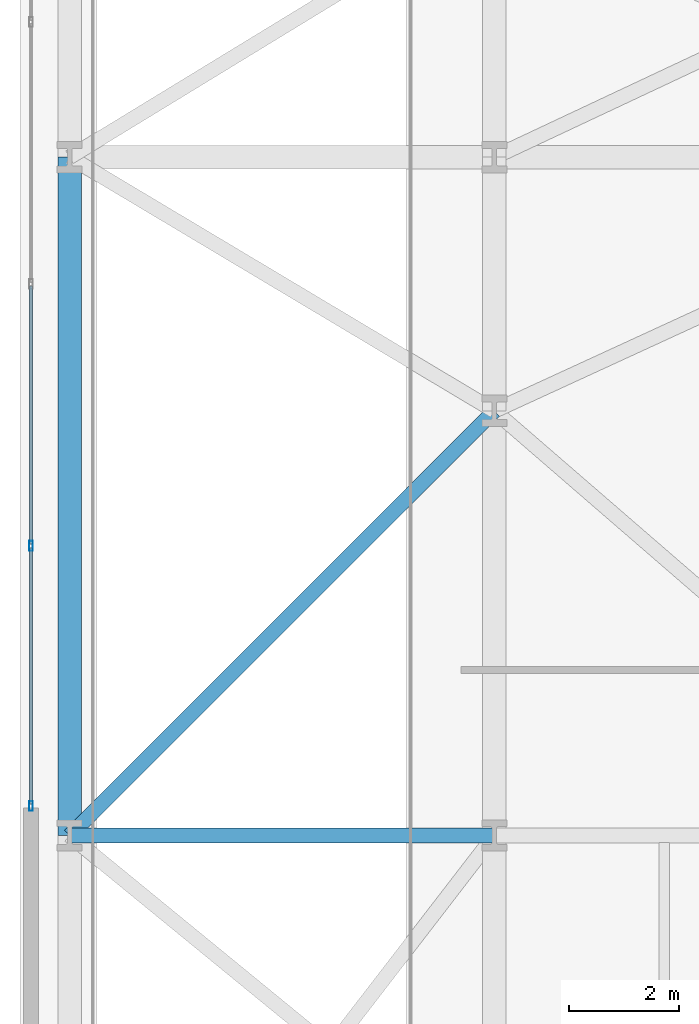
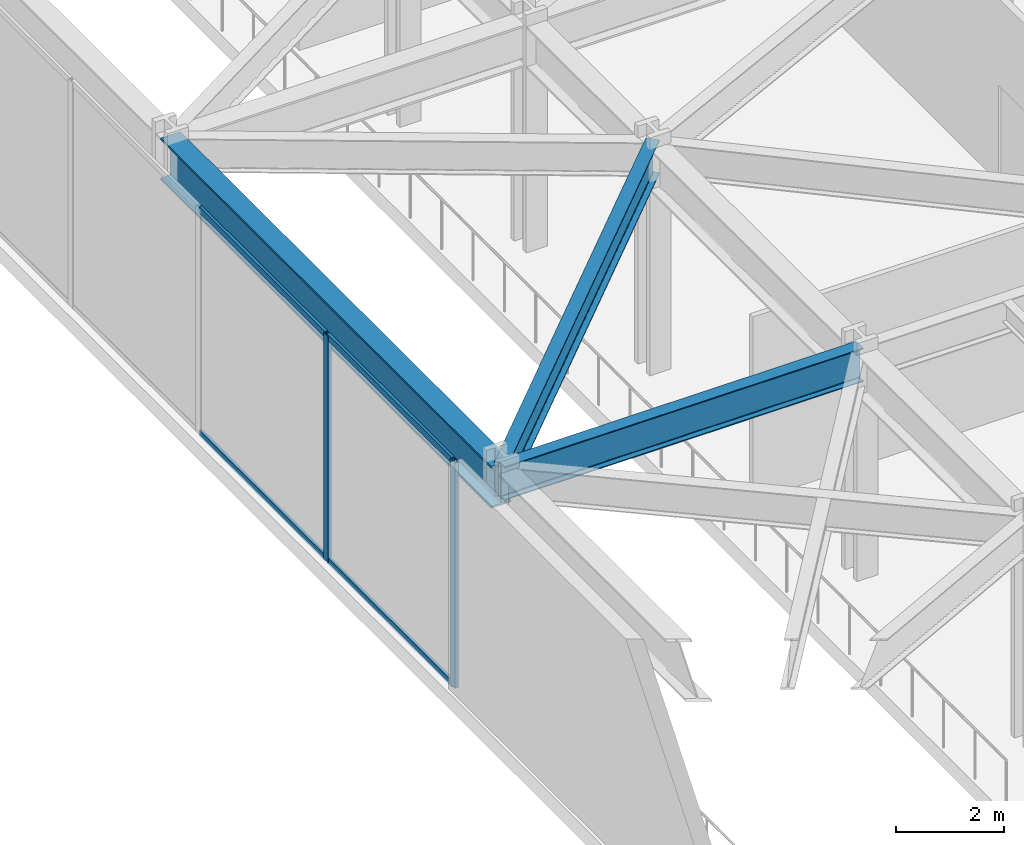
# One storey, part 7 of 31: 6 members, 3 beams, 1 element without a shape of its own.
"""IFC4 building model written with IfcOpenShell, lengths in metres."""

from ifc_helpers import new_model, si_unit, direction, frame, origin, origin_2d, place, context, subcontext, project, spatial, hollow_rectangle, i_section, extrude, material, layer, layer_set, material_profile, profile_set, type_object, element, aggregate, save


model = new_model("IFC4")

# Units and contexts
model_context = context("Model", 3, precision=1e-05, world=origin(), true_north=direction((0.0, 1.0)))
body_context = subcontext(model_context, "Body", "Model", "MODEL_VIEW")
ifc_project = project(units=[si_unit("LENGTHUNIT", "METRE"), si_unit("AREAUNIT", "SQUARE_METRE"), si_unit("VOLUMEUNIT", "CUBIC_METRE"), si_unit("PLANEANGLEUNIT", "RADIAN"), si_unit("MASSUNIT", "GRAM", prefix="KILO")], contexts=[model_context])

# Site, building, storey
site_placement = place(None, origin())
site = spatial("IfcSite", under=ifc_project, at=site_placement, CompositionType="ELEMENT")
building_placement = place(site_placement, origin())
building = spatial("IfcBuilding", under=site, at=building_placement, Name="Kravanh Interchange Tower", CompositionType="ELEMENT")
storey_placement = place(building_placement, origin())
storey = spatial("IfcBuildingStorey", under=building, at=storey_placement, Name="L00", CompositionType="ELEMENT", Elevation=0.0)

# Curtain wall, members
ifc_material_1 = material(Name="Anodised Bronze Aluminium", Category="aluminium")
ifc_layer = layer(ifc_material_1, 0.179931640625)
ifc_layer_set = layer_set([ifc_layer], Name="Unitised Curtain Wall System CW-POD Podium Concourse")
curtain_wall_type = type_object("IfcCurtainWallType", Name="Unitised Curtain Wall System CW-POD Podium Concourse", PredefinedType="NOTDEFINED", material=ifc_layer_set)
curtain_wall_placement = place(storey_placement, origin())
curtain_wall = element("IfcCurtainWall", 1, at=curtain_wall_placement, inside=storey, type_object=curtain_wall_type, Name="L00 Unitised Curtain Wall CW-L00-05", PredefinedType="NOTDEFINED")
ifc_material_2 = material(Name="Anodised Bronze Aluminium", Category="aluminium")
ifc_material_profile_1 = material_profile(ifc_material_2, hollow_rectangle(XDim=0.070068359375, YDim=0.179931640625, WallThickness=0.00390625, at=origin_2d()), Name="ALU70X180X4")
ifc_profile_set_1 = profile_set([ifc_material_profile_1], Name="Anodised Bronze Aluminium")
member_type_1 = type_object("IfcMemberType", Name="Curtain Wall Mullion ALU70X180X4 Bronze", PredefinedType="MULLION", material=ifc_profile_set_1)
member_1_placement = place(storey_placement, frame((0.199951171875, 15.034912109375, 0.0), z_axis=(0.0, 0.0, 1.0), x_axis=(-1.0, 0.0, 0.0)))
member_1 = element("IfcMember", 2, at=member_1_placement, type_object=member_type_1, Name="CW-POD mullion 1", PredefinedType="MULLION", context=body_context, shape_type="SweptSolid", body=[
    extrude(hollow_rectangle(XDim=0.070068359375, YDim=0.179931640625, WallThickness=0.00390625, at=origin_2d()), origin(), (0.0, 0.0, 1.0), 5.1298828125),
])
member_2_placement = place(storey_placement, frame((0.199951171875, 19.75, 0.0), z_axis=(0.0, 0.0, 1.0), x_axis=(-1.0, 0.0, 0.0)))
member_2 = element("IfcMember", 3, at=member_2_placement, type_object=member_type_1, Name="CW-POD mullion 2", PredefinedType="MULLION", context=body_context, shape_type="SweptSolid", body=[
    extrude(hollow_rectangle(XDim=0.070068359375, YDim=0.179931640625, WallThickness=0.00390625, at=origin_2d()), origin(), (0.0, 0.0, 1.0), 5.1298828125),
])
ifc_material_3 = material(Name="Anodised Bronze Aluminium", Category="aluminium")
ifc_material_profile_2 = material_profile(ifc_material_3, hollow_rectangle(XDim=0.06005859375, YDim=0.139892578125, WallThickness=0.00390625, at=origin_2d()), Name="ALU60X140X4")
ifc_profile_set_2 = profile_set([ifc_material_profile_2], Name="Anodised Bronze Aluminium")
member_type_2 = type_object("IfcMemberType", Name="Curtain Wall Transom ALU60X140X4 Bronze", PredefinedType="USERDEFINED", material=ifc_profile_set_2)
member_3_placement = place(storey_placement, frame((0.199951171875, 15.070068359375, 0.030029296875), z_axis=(0.0, 1.0, 0.0), x_axis=(-1.0, 0.0, 0.0)))
member_3 = element("IfcMember", 4, at=member_3_placement, type_object=member_type_2, Name="CW-POD transom 1.1", ObjectType="TRANSOM", PredefinedType="USERDEFINED", context=body_context, shape_type="SweptSolid", body=[
    extrude(hollow_rectangle(XDim=0.06005859375, YDim=0.139892578125, WallThickness=0.00390625, at=origin_2d()), origin(), (0.0, 0.0, 1.0), 4.64501953125),
])
member_4_placement = place(storey_placement, frame((0.199951171875, 15.070068359375, 5.10009765625), z_axis=(0.0, 1.0, 0.0), x_axis=(-1.0, 0.0, 0.0)))
member_4 = element("IfcMember", 5, at=member_4_placement, type_object=member_type_2, Name="CW-POD transom 1.2", ObjectType="TRANSOM", PredefinedType="USERDEFINED", context=body_context, shape_type="SweptSolid", body=[
    extrude(hollow_rectangle(XDim=0.06005859375, YDim=0.139892578125, WallThickness=0.00390625, at=origin_2d()), origin(), (0.0, 0.0, 1.0), 4.64501953125),
])
member_5_placement = place(storey_placement, frame((0.199951171875, 19.784912109375, 0.030029296875), z_axis=(0.0, 1.0, 0.0), x_axis=(-1.0, 0.0, 0.0)))
member_5 = element("IfcMember", 6, at=member_5_placement, type_object=member_type_2, Name="CW-POD transom 2.1", ObjectType="TRANSOM", PredefinedType="USERDEFINED", context=body_context, shape_type="SweptSolid", body=[
    extrude(hollow_rectangle(XDim=0.06005859375, YDim=0.139892578125, WallThickness=0.00390625, at=origin_2d()), origin(), (0.0, 0.0, 1.0), 4.68017578125),
])
member_6_placement = place(storey_placement, frame((0.199951171875, 19.784912109375, 5.10009765625), z_axis=(0.0, 1.0, 0.0), x_axis=(-1.0, 0.0, 0.0)))
member_6 = element("IfcMember", 7, at=member_6_placement, type_object=member_type_2, Name="CW-POD transom 2.2", ObjectType="TRANSOM", PredefinedType="USERDEFINED", context=body_context, shape_type="SweptSolid", body=[
    extrude(hollow_rectangle(XDim=0.06005859375, YDim=0.139892578125, WallThickness=0.00390625, at=origin_2d()), origin(), (0.0, 0.0, 1.0), 4.68017578125),
])
aggregate(curtain_wall, [member_1, member_2, member_3, member_4, member_5, member_6])

# Beams
ifc_material_4 = material(Name="Structural Steel S450", Category="steel")
ifc_material_profile_3 = material_profile(ifc_material_4, i_section(OverallWidth=0.423095703125, OverallDepth=0.947998046875, WebThickness=0.02392578125, FlangeThickness=0.042724609375, FilletRadius=0.028076171875, at=origin_2d()), Name="W36X302")
ifc_profile_set_3 = profile_set([ifc_material_profile_3], Name="Structural Steel S450")
beam_type_1 = type_object("IfcBeamType", Name="Floor Beam W36X302 Structural Steel S450", PredefinedType="BEAM", material=ifc_profile_set_3)
beam_1_placement = place(storey_placement, frame((0.89990234375, 14.5, 4.656005859375), z_axis=(0.0, 1.0, 0.0), x_axis=(-1.0, 0.0, 0.0)))
element("IfcBeam", 8, at=beam_1_placement, inside=storey, type_object=beam_type_1, Name="L00 Primary Floor Girder 123", PredefinedType="BEAM", context=body_context, shape_type="SweptSolid", body=[
    extrude(i_section(OverallWidth=0.423095703125, OverallDepth=0.947998046875, WebThickness=0.02392578125, FlangeThickness=0.042724609375, FilletRadius=0.028076171875, at=origin_2d()), origin(), (0.0, 0.0, 1.0), 12.300048828125),
])
ifc_material_5 = material(Name="Structural Steel S355", Category="steel")
ifc_material_profile_4 = material_profile(ifc_material_5, i_section(OverallWidth=0.26708984375, OverallDepth=0.761962890625, WebThickness=0.014404296875, FlangeThickness=0.021484375, FilletRadius=0.02490234375, at=origin_2d()), Name="W30X116")
ifc_profile_set_4 = profile_set([ifc_material_profile_4], Name="Structural Steel S355")
beam_type_2 = type_object("IfcBeamType", Name="Floor Spandrel W30X116 Structural Steel S355", PredefinedType="SPANDREL", material=ifc_profile_set_4)
beam_2_placement = place(storey_placement, frame((8.60009765625, 14.5, 4.7490234375), z_axis=(-1.0, 0.0, 0.0), x_axis=(0.0, -1.0, 0.0)))
element("IfcBeam", 9, at=beam_2_placement, inside=storey, type_object=beam_type_2, Name="L00 Perimeter Spandrel 38", PredefinedType="SPANDREL", context=body_context, shape_type="SweptSolid", body=[
    extrude(i_section(OverallWidth=0.26708984375, OverallDepth=0.761962890625, WebThickness=0.014404296875, FlangeThickness=0.021484375, FilletRadius=0.02490234375, at=origin_2d()), origin(), (0.0, 0.0, 1.0), 7.7001953125),
])
beam_3_placement = place(storey_placement, frame((8.60009765625, 22.199951171875, 4.7490234375), z_axis=(-0.707117990958, -0.707095571237, 0.0), x_axis=(0.707095571237, -0.707117990958, 0.0)))
element("IfcBeam", 10, at=beam_3_placement, inside=storey, type_object=beam_type_2, Name="L00 Perimeter Spandrel 59", PredefinedType="SPANDREL", context=body_context, shape_type="SweptSolid", body=[
    extrude(i_section(OverallWidth=0.26708984375, OverallDepth=0.761962890625, WebThickness=0.014404296875, FlangeThickness=0.021484375, FilletRadius=0.02490234375, at=origin_2d()), origin(), (0.0, 0.0, 1.0), 10.8896484375),
])

save(model, "model.ifc")
